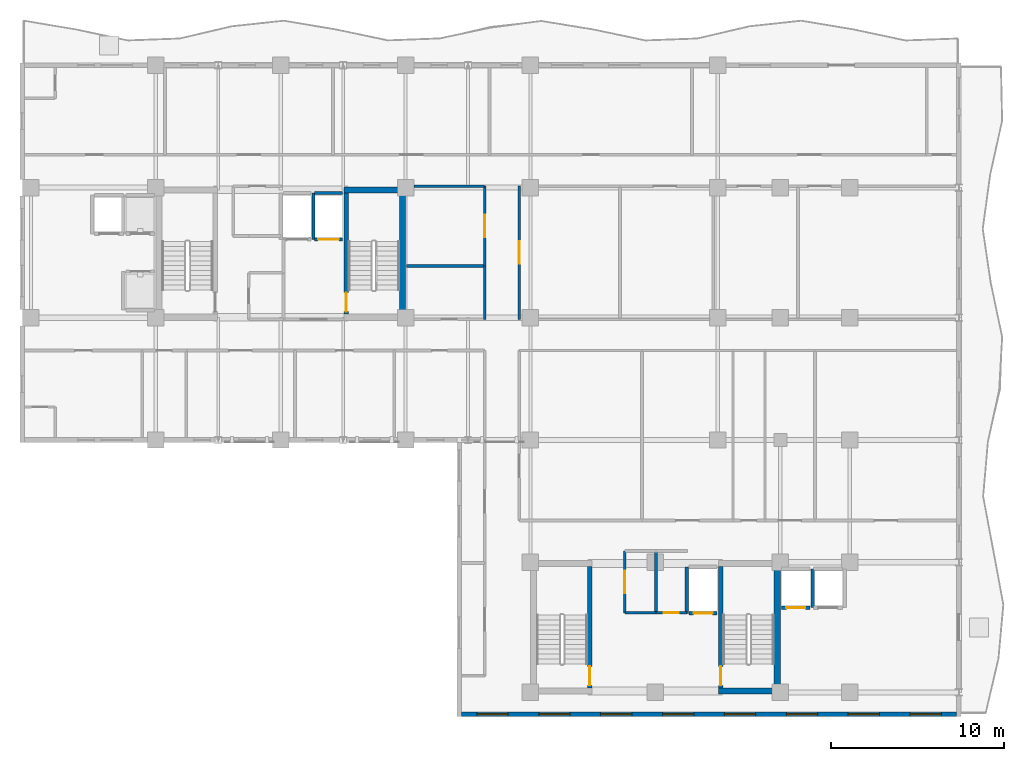
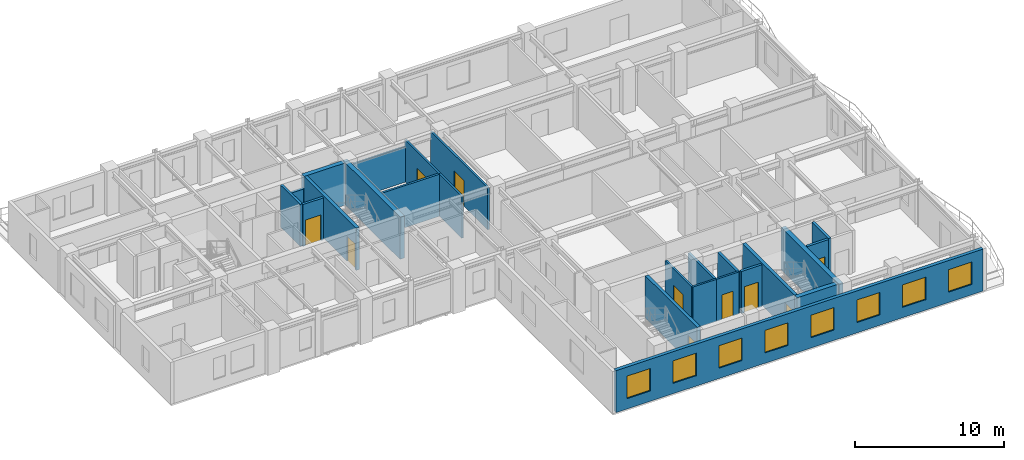
# One storey, part 7 of 14: 24 walls, 10 doors, 8 windows, 18 openings.
"""IFC4 building model written with IfcOpenShell, lengths in metres."""

from ifc_helpers import new_model, si_unit, direction, frame, frame_2d, origin, place, context, subcontext, project, spatial, rectangle, extrude, material, layer, layer_set, type_object, element, fill, save


model = new_model("IFC4")

# Units and contexts
model_context = context("Model", 3, precision=1e-05, world=origin(), true_north=direction((0.0, 1.0)))
body_context = subcontext(model_context, "Body", "Model", "MODEL_VIEW")
ifc_project = project(units=[si_unit("LENGTHUNIT", "METRE"), si_unit("AREAUNIT", "SQUARE_METRE"), si_unit("VOLUMEUNIT", "CUBIC_METRE"), si_unit("PLANEANGLEUNIT", "RADIAN"), si_unit("MASSUNIT", "GRAM", prefix="KILO")], contexts=[model_context])

# Site, building, storey
site_placement = place(None, origin())
site = spatial("IfcSite", under=ifc_project, at=site_placement, CompositionType="ELEMENT")
building_placement = place(site_placement, origin())
building = spatial("IfcBuilding", under=site, at=building_placement, Name="Kaliganga Portal Commons", CompositionType="ELEMENT")
storey_placement = place(building_placement, frame((0.0, 0.0, 220.300048828125)))
storey = spatial("IfcBuildingStorey", under=building, at=storey_placement, Name="L56", CompositionType="ELEMENT", Elevation=220.300048828125)

# Walls
ifc_material_1 = material(Name="Concrete C50/60", Category="concrete")
ifc_layer_1 = layer(ifc_material_1, 0.35009765625)
ifc_layer_set_1 = layer_set([ifc_layer_1], Name="Concrete C50/60")
wall_type_1 = type_object("IfcWallType", Name="WL-CORE-350", PredefinedType="SHEAR", material=ifc_layer_set_1)
wall_1_placement = place(storey_placement, frame((28.625, 28.5, 0.0), z_axis=(0.0, 0.0, 1.0), x_axis=(0.0, 1.0, 0.0)))
element("IfcWall", 1, at=wall_1_placement, inside=storey, type_object=wall_type_1, Name="Core A East Shear Wall L56", PredefinedType="SHEAR", context=body_context, shape_type="SweptSolid", body=[
    extrude(rectangle(XDim=7.699951171875, YDim=0.35009765625, at=frame_2d((3.85009765625, 0.0))), origin(), (0.0, 0.0, 1.0), 3.469970703125),
])
wall_2_placement = place(storey_placement, frame((25.25, 36.02490234375, 0.0), z_axis=(0.0, 0.0, 1.0), x_axis=(1.0, 0.0, 0.0)))
element("IfcWall", 2, at=wall_2_placement, inside=storey, type_object=wall_type_1, Name="Core A N-East Shear Wall L56", PredefinedType="SHEAR", context=body_context, shape_type="SweptSolid", body=[
    extrude(rectangle(XDim=3.199951171875, YDim=0.35009765625, at=frame_2d((1.60009765625, 0.0))), origin(), (0.0, 0.0, 1.0), 3.469970703125),
])
wall_3_placement = place(storey_placement, frame((50.22509765625, 6.949951171875, 0.0), z_axis=(0.0, 0.0, 1.0), x_axis=(0.0, 1.0, 0.0)))
element("IfcWall", 3, at=wall_3_placement, inside=storey, type_object=wall_type_1, Name="Core B East Shear Wall L56", PredefinedType="SHEAR", context=body_context, shape_type="SweptSolid", body=[
    extrude(rectangle(XDim=7.699951171875, YDim=0.35009765625, at=frame_2d((3.85009765625, 0.0))), origin(), (0.0, 0.0, 1.0), 3.469970703125),
])
wall_4_placement = place(storey_placement, frame((46.85009765625, 7.125, 0.0), z_axis=(0.0, 0.0, 1.0), x_axis=(1.0, 0.0, 0.0)))
element("IfcWall", 4, at=wall_4_placement, inside=storey, type_object=wall_type_1, Name="Core B S-East Shear Wall L56", PredefinedType="SHEAR", context=body_context, shape_type="SweptSolid", body=[
    extrude(rectangle(XDim=3.199951171875, YDim=0.35009765625, at=frame_2d((1.60009765625, 0.0))), origin(), (0.0, 0.0, 1.0), 3.469970703125),
])

# Wall, openings, windows
ifc_material_2 = material(Name="Insulated Aluminium-Clad Spandrel Assembly", Category="aluminium")
ifc_layer_2 = layer(ifc_material_2, 0.260009765625)
ifc_layer_set_2 = layer_set([ifc_layer_2], Name="Insulated Aluminium-Clad Spandrel Assembly")
wall_type_2 = type_object("IfcWallType", Name="WL-EXT-SPAND-260", PredefinedType="STANDARD", material=ifc_layer_set_2)
wall_5_placement = place(storey_placement, frame((60.56494140625, 5.800048828125, 0.0), z_axis=(0.0, 0.0, 1.0), x_axis=(-1.0, 0.0, 0.0)))
wall_5 = element("IfcWall", 5, at=wall_5_placement, inside=storey, type_object=wall_type_2, Name="Exterior Envelope Wall L56 P1-E00-S1", PredefinedType="STANDARD", context=body_context, shape_type="SweptSolid", body=[
    extrude(rectangle(XDim=28.530029296875, YDim=0.260009765625, at=frame_2d((14.26513671875, 0.0))), origin(), (0.0, 0.0, 1.0), 3.449951171875),
])
opening_1_placement = place(wall_5_placement, frame((0.883056640625, 0.0, 0.85009765625)))
opening_1 = element("IfcOpeningElement", 6, at=opening_1_placement, cuts=wall_5, Name="Opening W-01", PredefinedType="OPENING", context=body_context, shape_type="SweptSolid", body=[
    extrude(rectangle(XDim=1.800048828125, YDim=1.85009765625, at=frame_2d((0.89990234375, 0.925048828125))), frame((0.0, 0.14013671875, 0.0), z_axis=(0.0, -1.0, 0.0), x_axis=(1.0, 0.0, 0.0)), (0.0, 0.0, 1.0), 0.280029296875),
])
opening_2_placement = place(wall_5_placement, frame((4.449462890625, 0.0, 0.85009765625)))
opening_2 = element("IfcOpeningElement", 7, at=opening_2_placement, cuts=wall_5, Name="Opening W-01", PredefinedType="OPENING", context=body_context, shape_type="SweptSolid", body=[
    extrude(rectangle(XDim=1.800048828125, YDim=1.85009765625, at=frame_2d((0.89990234375, 0.925048828125))), frame((0.0, 0.14013671875, 0.0), z_axis=(0.0, -1.0, 0.0), x_axis=(1.0, 0.0, 0.0)), (0.0, 0.0, 1.0), 0.280029296875),
])
opening_3_placement = place(wall_5_placement, frame((8.015625, 0.0, 0.85009765625)))
opening_3 = element("IfcOpeningElement", 8, at=opening_3_placement, cuts=wall_5, Name="Opening W-01", PredefinedType="OPENING", context=body_context, shape_type="SweptSolid", body=[
    extrude(rectangle(XDim=1.800048828125, YDim=1.85009765625, at=frame_2d((0.89990234375, 0.925048828125))), frame((0.0, 0.14013671875, 0.0), z_axis=(0.0, -1.0, 0.0), x_axis=(1.0, 0.0, 0.0)), (0.0, 0.0, 1.0), 0.280029296875),
])
opening_4_placement = place(wall_5_placement, frame((11.581787109375, 0.0, 0.85009765625)))
opening_4 = element("IfcOpeningElement", 9, at=opening_4_placement, cuts=wall_5, Name="Opening W-01", PredefinedType="OPENING", context=body_context, shape_type="SweptSolid", body=[
    extrude(rectangle(XDim=1.800048828125, YDim=1.85009765625, at=frame_2d((0.89990234375, 0.925048828125))), frame((0.0, 0.14013671875, 0.0), z_axis=(0.0, -1.0, 0.0), x_axis=(1.0, 0.0, 0.0)), (0.0, 0.0, 1.0), 0.280029296875),
])
opening_5_placement = place(wall_5_placement, frame((15.148193359375, 0.0, 0.85009765625)))
opening_5 = element("IfcOpeningElement", 10, at=opening_5_placement, cuts=wall_5, Name="Opening W-01", PredefinedType="OPENING", context=body_context, shape_type="SweptSolid", body=[
    extrude(rectangle(XDim=1.800048828125, YDim=1.85009765625, at=frame_2d((0.89990234375, 0.925048828125))), frame((0.0, 0.14013671875, 0.0), z_axis=(0.0, -1.0, 0.0), x_axis=(1.0, 0.0, 0.0)), (0.0, 0.0, 1.0), 0.280029296875),
])
opening_6_placement = place(wall_5_placement, frame((18.71435546875, 0.0, 0.85009765625)))
opening_6 = element("IfcOpeningElement", 11, at=opening_6_placement, cuts=wall_5, Name="Opening W-01", PredefinedType="OPENING", context=body_context, shape_type="SweptSolid", body=[
    extrude(rectangle(XDim=1.800048828125, YDim=1.85009765625, at=frame_2d((0.89990234375, 0.925048828125))), frame((0.0, 0.14013671875, 0.0), z_axis=(0.0, -1.0, 0.0), x_axis=(1.0, 0.0, 0.0)), (0.0, 0.0, 1.0), 0.280029296875),
])
opening_7_placement = place(wall_5_placement, frame((22.280517578125, 0.0, 0.85009765625)))
opening_7 = element("IfcOpeningElement", 12, at=opening_7_placement, cuts=wall_5, Name="Opening W-01", PredefinedType="OPENING", context=body_context, shape_type="SweptSolid", body=[
    extrude(rectangle(XDim=1.800048828125, YDim=1.85009765625, at=frame_2d((0.89990234375, 0.925048828125))), frame((0.0, 0.14013671875, 0.0), z_axis=(0.0, -1.0, 0.0), x_axis=(1.0, 0.0, 0.0)), (0.0, 0.0, 1.0), 0.280029296875),
])
opening_8_placement = place(wall_5_placement, frame((25.846923828125, 0.0, 0.85009765625)))
opening_8 = element("IfcOpeningElement", 13, at=opening_8_placement, cuts=wall_5, Name="Opening W-01", PredefinedType="OPENING", context=body_context, shape_type="SweptSolid", body=[
    extrude(rectangle(XDim=1.800048828125, YDim=1.85009765625, at=frame_2d((0.89990234375, 0.925048828125))), frame((0.0, 0.14013671875, 0.0), z_axis=(0.0, -1.0, 0.0), x_axis=(1.0, 0.0, 0.0)), (0.0, 0.0, 1.0), 0.280029296875),
])
ifc_material_3 = material(Name="Thermally Broken Aluminium and Low-E Double Glazing", Category="aluminium")
window_type = type_object("IfcWindowType", Name="WIN-STD-1800", PartitioningType="DOUBLE_PANEL_VERTICAL", PredefinedType="WINDOW", material=ifc_material_3)
window_1_placement = place(opening_1_placement, origin())
window_1 = element("IfcWindow", 14, at=window_1_placement, inside=storey, type_object=window_type, Name="Facade Window L56-P1E00S1-00", OverallHeight=1.85009765625, OverallWidth=1.800048828125, PartitioningType="SINGLE_PANEL", PredefinedType="WINDOW", context=body_context, shape_type="SweptSolid", body=[
    extrude(rectangle(XDim=1.800048828125, YDim=1.85009765625, at=frame_2d((0.89990234375, 0.925048828125))), frame((0.0, 0.030029296875, 0.0), z_axis=(0.0, -1.0, 0.0), x_axis=(1.0, 0.0, 0.0)), (0.0, 0.0, 1.0), 0.06005859375),
])
fill(opening_1, window_1)
window_2_placement = place(opening_2_placement, origin())
window_2 = element("IfcWindow", 15, at=window_2_placement, inside=storey, type_object=window_type, Name="Facade Window L56-P1E00S1-01", OverallHeight=1.85009765625, OverallWidth=1.800048828125, PartitioningType="SINGLE_PANEL", PredefinedType="WINDOW", context=body_context, shape_type="SweptSolid", body=[
    extrude(rectangle(XDim=1.800048828125, YDim=1.85009765625, at=frame_2d((0.89990234375, 0.925048828125))), frame((0.0, 0.030029296875, 0.0), z_axis=(0.0, -1.0, 0.0), x_axis=(1.0, 0.0, 0.0)), (0.0, 0.0, 1.0), 0.06005859375),
])
fill(opening_2, window_2)
window_3_placement = place(opening_3_placement, origin())
window_3 = element("IfcWindow", 16, at=window_3_placement, inside=storey, type_object=window_type, Name="Facade Window L56-P1E00S1-02", OverallHeight=1.85009765625, OverallWidth=1.800048828125, PartitioningType="SINGLE_PANEL", PredefinedType="WINDOW", context=body_context, shape_type="SweptSolid", body=[
    extrude(rectangle(XDim=1.800048828125, YDim=1.85009765625, at=frame_2d((0.89990234375, 0.925048828125))), frame((0.0, 0.030029296875, 0.0), z_axis=(0.0, -1.0, 0.0), x_axis=(1.0, 0.0, 0.0)), (0.0, 0.0, 1.0), 0.06005859375),
])
fill(opening_3, window_3)
window_4_placement = place(opening_4_placement, origin())
window_4 = element("IfcWindow", 17, at=window_4_placement, inside=storey, type_object=window_type, Name="Facade Window L56-P1E00S1-03", OverallHeight=1.85009765625, OverallWidth=1.800048828125, PartitioningType="SINGLE_PANEL", PredefinedType="WINDOW", context=body_context, shape_type="SweptSolid", body=[
    extrude(rectangle(XDim=1.800048828125, YDim=1.85009765625, at=frame_2d((0.89990234375, 0.925048828125))), frame((0.0, 0.030029296875, 0.0), z_axis=(0.0, -1.0, 0.0), x_axis=(1.0, 0.0, 0.0)), (0.0, 0.0, 1.0), 0.06005859375),
])
fill(opening_4, window_4)
window_5_placement = place(opening_5_placement, origin())
window_5 = element("IfcWindow", 18, at=window_5_placement, inside=storey, type_object=window_type, Name="Facade Window L56-P1E00S1-04", OverallHeight=1.85009765625, OverallWidth=1.800048828125, PartitioningType="SINGLE_PANEL", PredefinedType="WINDOW", context=body_context, shape_type="SweptSolid", body=[
    extrude(rectangle(XDim=1.800048828125, YDim=1.85009765625, at=frame_2d((0.89990234375, 0.925048828125))), frame((0.0, 0.030029296875, 0.0), z_axis=(0.0, -1.0, 0.0), x_axis=(1.0, 0.0, 0.0)), (0.0, 0.0, 1.0), 0.06005859375),
])
fill(opening_5, window_5)
window_6_placement = place(opening_6_placement, origin())
window_6 = element("IfcWindow", 19, at=window_6_placement, inside=storey, type_object=window_type, Name="Facade Window L56-P1E00S1-05", OverallHeight=1.85009765625, OverallWidth=1.800048828125, PartitioningType="SINGLE_PANEL", PredefinedType="WINDOW", context=body_context, shape_type="SweptSolid", body=[
    extrude(rectangle(XDim=1.800048828125, YDim=1.85009765625, at=frame_2d((0.89990234375, 0.925048828125))), frame((0.0, 0.030029296875, 0.0), z_axis=(0.0, -1.0, 0.0), x_axis=(1.0, 0.0, 0.0)), (0.0, 0.0, 1.0), 0.06005859375),
])
fill(opening_6, window_6)
window_7_placement = place(opening_7_placement, origin())
window_7 = element("IfcWindow", 20, at=window_7_placement, inside=storey, type_object=window_type, Name="Facade Window L56-P1E00S1-06", OverallHeight=1.85009765625, OverallWidth=1.800048828125, PartitioningType="SINGLE_PANEL", PredefinedType="WINDOW", context=body_context, shape_type="SweptSolid", body=[
    extrude(rectangle(XDim=1.800048828125, YDim=1.85009765625, at=frame_2d((0.89990234375, 0.925048828125))), frame((0.0, 0.030029296875, 0.0), z_axis=(0.0, -1.0, 0.0), x_axis=(1.0, 0.0, 0.0)), (0.0, 0.0, 1.0), 0.06005859375),
])
fill(opening_7, window_7)
window_8_placement = place(opening_8_placement, origin())
window_8 = element("IfcWindow", 21, at=window_8_placement, inside=storey, type_object=window_type, Name="Facade Window L56-P1E00S1-07", OverallHeight=1.85009765625, OverallWidth=1.800048828125, PartitioningType="SINGLE_PANEL", PredefinedType="WINDOW", context=body_context, shape_type="SweptSolid", body=[
    extrude(rectangle(XDim=1.800048828125, YDim=1.85009765625, at=frame_2d((0.89990234375, 0.925048828125))), frame((0.0, 0.030029296875, 0.0), z_axis=(0.0, -1.0, 0.0), x_axis=(1.0, 0.0, 0.0)), (0.0, 0.0, 1.0), 0.06005859375),
])
fill(opening_8, window_8)

# Wall, opening, door
ifc_material_4 = material(Name="Fire-Rated Gypsum Board on Steel Stud", Category="steel")
ifc_layer_3 = layer(ifc_material_4, 0.14990234375)
ifc_layer_set_3 = layer_set([ifc_layer_3], Name="Fire-Rated Gypsum Board on Steel Stud")
wall_type_3 = type_object("IfcWallType", Name="WL-PART-CORR-150", PredefinedType="PARTITIONING", material=ifc_layer_set_3)
wall_6_placement = place(storey_placement, frame((35.360107421875, 28.56005859375, 0.0), z_axis=(0.0, 0.0, 1.0), x_axis=(0.0, 1.0, 0.0)))
wall_6 = element("IfcWall", 22, at=wall_6_placement, inside=storey, type_object=wall_type_3, Name="Interior Partition L56-014", PredefinedType="PARTITIONING", context=body_context, shape_type="SweptSolid", body=[
    extrude(rectangle(XDim=7.679931640625, YDim=0.14990234375, at=frame_2d((3.83984375, 0.0))), origin(), (0.0, 0.0, 1.0), 3.449951171875),
])
opening_9_placement = place(wall_6_placement, frame((3.18994140625, 0.0, 0.0)))
opening_9 = element("IfcOpeningElement", 23, at=opening_9_placement, cuts=wall_6, Name="Opening RD-03", PredefinedType="OPENING", context=body_context, shape_type="SweptSolid", body=[
    extrude(rectangle(XDim=1.300048828125, YDim=2.1201171875, at=frame_2d((0.64990234375, 1.06005859375))), frame((0.0, 0.0849609375, 0.0), z_axis=(0.0, -1.0, 0.0), x_axis=(1.0, 0.0, 0.0)), (0.0, 0.0, 1.0), 0.169921875),
])
ifc_material_5 = material(Name="Glazed Timber Seminar Vision Door", Category="wood")
door_type_1 = type_object("IfcDoorType", Name="DR-STUDY-1300", OperationType="DOUBLE_DOOR_SINGLE_SWING", PredefinedType="DOOR", material=ifc_material_5)
door_1_placement = place(opening_9_placement, origin())
door_1 = element("IfcDoor", 24, at=door_1_placement, inside=storey, type_object=door_type_1, Name="Interior Door L56-BK01", OperationType="DOUBLE_DOOR_SINGLE_SWING", OverallHeight=2.1201171875, OverallWidth=1.300048828125, PredefinedType="DOOR", context=body_context, shape_type="SweptSolid", body=[
    extrude(rectangle(XDim=1.300048828125, YDim=2.1201171875, at=frame_2d((0.64990234375, 1.06005859375))), frame((0.0, 0.02490234375, 0.0), z_axis=(0.0, -1.0, 0.0), x_axis=(1.0, 0.0, 0.0)), (0.0, 0.0, 1.0), 0.050048828125),
])
fill(opening_9, door_1)

wall_7_placement = place(storey_placement, frame((33.360107421875, 31.639892578125, 0.0), z_axis=(0.0, 0.0, 1.0), x_axis=(0.0, 1.0, 0.0)))
wall_7 = element("IfcWall", 25, at=wall_7_placement, inside=storey, type_object=wall_type_3, Name="Interior Partition L56-028", PredefinedType="PARTITIONING", context=body_context, shape_type="SweptSolid", body=[
    extrude(rectangle(XDim=4.60009765625, YDim=0.14990234375, at=frame_2d((2.300048828125, 0.0))), origin(), (0.0, 0.0, 1.0), 3.449951171875),
])
opening_10_placement = place(wall_7_placement, frame((1.64990234375, 0.0, 0.0)))
opening_10 = element("IfcOpeningElement", 26, at=opening_10_placement, cuts=wall_7, Name="Opening RD-03", PredefinedType="OPENING", context=body_context, shape_type="SweptSolid", body=[
    extrude(rectangle(XDim=1.300048828125, YDim=2.1201171875, at=frame_2d((0.64990234375, 1.06005859375))), frame((0.0, 0.0849609375, 0.0), z_axis=(0.0, -1.0, 0.0), x_axis=(1.0, 0.0, 0.0)), (0.0, 0.0, 1.0), 0.169921875),
])
door_2_placement = place(opening_10_placement, origin())
door_2 = element("IfcDoor", 27, at=door_2_placement, inside=storey, type_object=door_type_1, Name="Interior Door L56-CSRV_A2", OperationType="DOUBLE_DOOR_SINGLE_SWING", OverallHeight=2.1201171875, OverallWidth=1.300048828125, PredefinedType="DOOR", context=body_context, shape_type="SweptSolid", body=[
    extrude(rectangle(XDim=1.300048828125, YDim=2.1201171875, at=frame_2d((0.64990234375, 1.06005859375))), frame((0.0, 0.02490234375, 0.0), z_axis=(0.0, -1.0, 0.0), x_axis=(1.0, 0.0, 0.0)), (0.0, 0.0, 1.0), 0.050048828125),
])
fill(opening_10, door_2)

# Wall
wall_8_placement = place(storey_placement, frame((29.27490234375, 36.239990234375, 0.0), z_axis=(0.0, 0.0, 1.0), x_axis=(1.0, 0.0, 0.0)))
element("IfcWall", 28, at=wall_8_placement, inside=storey, type_object=wall_type_3, Name="Interior Partition L56-030", PredefinedType="PARTITIONING", context=body_context, shape_type="SweptSolid", body=[
    extrude(rectangle(XDim=4.085205078125, YDim=0.14990234375, at=frame_2d((2.04248046875, 0.0))), origin(), (0.0, 0.0, 1.0), 2.89990234375),
])

# Wall, opening, door
wall_9_placement = place(storey_placement, frame((41.43994140625, 11.639892578125, 0.0), z_axis=(0.0, 0.0, 1.0), x_axis=(0.0, 1.0, 0.0)))
wall_9 = element("IfcWall", 29, at=wall_9_placement, inside=storey, type_object=wall_type_3, Name="Interior Partition L56-031", PredefinedType="PARTITIONING", context=body_context, shape_type="SweptSolid", body=[
    extrude(rectangle(XDim=3.56005859375, YDim=0.14990234375, at=frame_2d((1.780029296875, 0.0))), origin(), (0.0, 0.0, 1.0), 3.449951171875),
])
opening_11_placement = place(wall_9_placement, frame((1.1298828125, 0.0, 0.0)))
opening_11 = element("IfcOpeningElement", 30, at=opening_11_placement, cuts=wall_9, Name="Opening RD-03", PredefinedType="OPENING", context=body_context, shape_type="SweptSolid", body=[
    extrude(rectangle(XDim=1.300048828125, YDim=2.1201171875, at=frame_2d((0.64990234375, 1.06005859375))), frame((0.0, 0.0849609375, 0.0), z_axis=(0.0, -1.0, 0.0), x_axis=(1.0, 0.0, 0.0)), (0.0, 0.0, 1.0), 0.169921875),
])
door_3_placement = place(opening_11_placement, origin())
door_3 = element("IfcDoor", 31, at=door_3_placement, inside=storey, type_object=door_type_1, Name="Interior Door L56-CREC_B1", OperationType="DOUBLE_DOOR_SINGLE_SWING", OverallHeight=2.1201171875, OverallWidth=1.300048828125, PredefinedType="DOOR", context=body_context, shape_type="SweptSolid", body=[
    extrude(rectangle(XDim=1.300048828125, YDim=2.1201171875, at=frame_2d((0.64990234375, 1.06005859375))), frame((0.0, 0.02490234375, 0.0), z_axis=(0.0, -1.0, 0.0), x_axis=(1.0, 0.0, 0.0)), (0.0, 0.0, 1.0), 0.050048828125),
])
fill(opening_11, door_3)

# Walls
wall_10_placement = place(storey_placement, frame((33.360107421875, 28.56005859375, 0.0), z_axis=(0.0, 0.0, 1.0), x_axis=(0.0, 1.0, 0.0)))
element("IfcWall", 32, at=wall_10_placement, inside=storey, type_object=wall_type_3, Name="Interior Partition L56-032", PredefinedType="PARTITIONING", context=body_context, shape_type="SweptSolid", body=[
    extrude(rectangle(XDim=3.079833984375, YDim=0.14990234375, at=frame_2d((1.5400390625, 0.0))), origin(), (0.0, 0.0, 1.0), 3.449951171875),
])
wall_11_placement = place(storey_placement, frame((41.43994140625, 11.639892578125, 0.0), z_axis=(0.0, 0.0, 1.0), x_axis=(1.0, 0.0, 0.0)))
element("IfcWall", 33, at=wall_11_placement, inside=storey, type_object=wall_type_3, Name="Interior Partition L56-044", PredefinedType="PARTITIONING", context=body_context, shape_type="SweptSolid", body=[
    extrude(rectangle(XDim=1.800048828125, YDim=0.14990234375, at=frame_2d((0.89990234375, 0.0))), origin(), (0.0, 0.0, 1.0), 3.449951171875),
])

# Wall, opening, door
wall_12_placement = place(storey_placement, frame((43.239990234375, 11.639892578125, 0.0), z_axis=(0.0, 0.0, 1.0), x_axis=(1.0, 0.0, 0.0)))
wall_12 = element("IfcWall", 34, at=wall_12_placement, inside=storey, type_object=wall_type_3, Name="Interior Partition L56-046", PredefinedType="PARTITIONING", context=body_context, shape_type="SweptSolid", body=[
    extrude(rectangle(XDim=1.77001953125, YDim=0.14990234375, at=frame_2d((0.885009765625, 0.0))), origin(), (0.0, 0.0, 1.0), 3.449951171875),
])
opening_12_placement = place(wall_12_placement, frame((0.455078125, 0.0, 0.0)))
opening_12 = element("IfcOpeningElement", 35, at=opening_12_placement, cuts=wall_12, Name="Opening WD-02", PredefinedType="OPENING", context=body_context, shape_type="SweptSolid", body=[
    extrude(rectangle(XDim=0.860107421875, YDim=2.02001953125, at=frame_2d((0.43017578125, 1.010009765625))), frame((0.0, 0.0849609375, 0.0), z_axis=(0.0, -1.0, 0.0), x_axis=(1.0, 0.0, 0.0)), (0.0, 0.0, 1.0), 0.169921875),
])
ifc_material_6 = material(Name="Fire-Rated Utility Closet Door", Category="wood")
door_type_2 = type_object("IfcDoorType", Name="DR-STORE-800", OperationType="NOTDEFINED", PredefinedType="DOOR", material=ifc_material_6)
door_4_placement = place(opening_12_placement, origin())
door_4 = element("IfcDoor", 36, at=door_4_placement, inside=storey, type_object=door_type_2, Name="Interior Door L56-CREC_B2", OperationType="SINGLE_SWING_RIGHT", OverallHeight=2.02001953125, OverallWidth=0.860107421875, PredefinedType="DOOR", context=body_context, shape_type="SweptSolid", body=[
    extrude(rectangle(XDim=0.860107421875, YDim=2.02001953125, at=frame_2d((0.43017578125, 1.010009765625))), frame((0.0, 0.02490234375, 0.0), z_axis=(0.0, -1.0, 0.0), x_axis=(1.0, 0.0, 0.0)), (0.0, 0.0, 1.0), 0.050048828125),
])
fill(opening_12, door_4)

# Walls
ifc_material_7 = material(Name="Twin-Stud Acoustic Gypsum Partition", Category="gypsum")
ifc_layer_4 = layer(ifc_material_7, 0.1650390625)
ifc_layer_set_4 = layer_set([ifc_layer_4], Name="Twin-Stud Acoustic Gypsum Partition")
wall_type_4 = type_object("IfcWallType", Name="WL-PART-UNIT-165", PredefinedType="PARTITIONING", material=ifc_layer_set_4)
wall_13_placement = place(storey_placement, frame((28.840087890625, 31.639892578125, 0.0), z_axis=(0.0, 0.0, 1.0), x_axis=(1.0, 0.0, 0.0)))
element("IfcWall", 37, at=wall_13_placement, inside=storey, type_object=wall_type_4, Name="Interior Partition L56-074", PredefinedType="PARTITIONING", context=body_context, shape_type="SweptSolid", body=[
    extrude(rectangle(XDim=4.52001953125, YDim=0.1650390625, at=frame_2d((2.260009765625, 0.0))), origin(), (0.0, 0.0, 1.0), 3.449951171875),
])
wall_14_placement = place(storey_placement, frame((43.239990234375, 11.639892578125, 0.0), z_axis=(0.0, 0.0, 1.0), x_axis=(0.0, 1.0, 0.0)))
element("IfcWall", 38, at=wall_14_placement, inside=storey, type_object=wall_type_4, Name="Interior Partition L56-075", PredefinedType="PARTITIONING", context=body_context, shape_type="SweptSolid", body=[
    extrude(rectangle(XDim=3.56005859375, YDim=0.1650390625, at=frame_2d((1.780029296875, 0.0))), origin(), (0.0, 0.0, 1.0), 3.449951171875),
])
ifc_material_8 = material(Name="Fire-Rated Shaftwall Masonry Assembly", Category="masonry")
ifc_layer_5 = layer(ifc_material_8, 0.199951171875)
ifc_layer_set_5 = layer_set([ifc_layer_5], Name="Fire-Rated Shaftwall Masonry Assembly")
wall_type_5 = type_object("IfcWallType", Name="WL-SHAFT-200", PredefinedType="PARTITIONING", material=ifc_layer_set_5)
wall_15_placement = place(storey_placement, frame((23.489990234375, 33.159912109375, 0.0), z_axis=(0.0, 0.0, 1.0), x_axis=(0.0, 1.0, 0.0)))
element("IfcWall", 39, at=wall_15_placement, inside=storey, type_object=wall_type_5, Name="Lift FFL-1 Hoistway Shaft Wall L56-E", PredefinedType="PARTITIONING", context=body_context, shape_type="SweptSolid", body=[
    extrude(rectangle(XDim=2.68017578125, YDim=0.199951171875, at=frame_2d((1.340087890625, 0.0))), origin(), (0.0, 0.0, 1.0), 3.449951171875),
])

# Wall, opening, door
wall_16_placement = place(storey_placement, frame((23.550048828125, 33.159912109375, 0.0), z_axis=(0.0, 0.0, 1.0), x_axis=(1.0, 0.0, 0.0)))
wall_16 = element("IfcWall", 40, at=wall_16_placement, inside=storey, type_object=wall_type_5, Name="Lift FFL-2 Hoistway Shaft Wall L56-S", PredefinedType="PARTITIONING", context=body_context, shape_type="SweptSolid", body=[
    extrude(rectangle(XDim=1.599853515625, YDim=0.199951171875, at=frame_2d((0.7998046875, 0.0))), origin(), (0.0, 0.0, 1.0), 3.449951171875),
])
opening_13_placement = place(wall_16_placement, frame((0.199951171875, 0.0, 0.0)))
opening_13 = element("IfcOpeningElement", 41, at=opening_13_placement, cuts=wall_16, Name="Opening LD-02", PredefinedType="OPENING", context=body_context, shape_type="SweptSolid", body=[
    extrude(rectangle(XDim=1.199951171875, YDim=2.1201171875, at=frame_2d((0.60009765625, 1.06005859375))), frame((0.0, 0.10986328125, 0.0), z_axis=(0.0, -1.0, 0.0), x_axis=(1.0, 0.0, 0.0)), (0.0, 0.0, 1.0), 0.219970703125),
])
ifc_material_9 = material(Name="Brushed Stainless Steel 316 Stretcher Lift Landing Door", Category="steel")
door_type_3 = type_object("IfcDoorType", Name="DR-LIFT-1200", OperationType="SLIDING_TO_RIGHT", PredefinedType="DOOR", material=ifc_material_9)
door_5_placement = place(opening_13_placement, origin())
door_5 = element("IfcDoor", 42, at=door_5_placement, inside=storey, type_object=door_type_3, Name="Lift FFL-2 Sliding Landing Door L56", OperationType="SLIDING_TO_RIGHT", OverallHeight=2.1201171875, OverallWidth=1.199951171875, PredefinedType="DOOR", context=body_context, shape_type="SweptSolid", body=[
    extrude(rectangle(XDim=1.199951171875, YDim=2.1201171875, at=frame_2d((0.60009765625, 1.06005859375))), frame((0.0, 0.02490234375, 0.0), z_axis=(0.0, -1.0, 0.0), x_axis=(1.0, 0.0, 0.0)), (0.0, 0.0, 1.0), 0.050048828125),
])
fill(opening_13, door_5)

# Wall
wall_17_placement = place(storey_placement, frame((23.550048828125, 35.840087890625, 0.0), z_axis=(0.0, 0.0, 1.0), x_axis=(1.0, 0.0, 0.0)))
element("IfcWall", 43, at=wall_17_placement, inside=storey, type_object=wall_type_5, Name="Lift FFL-2 Hoistway Shaft Wall L56-N", PredefinedType="PARTITIONING", context=body_context, shape_type="SweptSolid", body=[
    extrude(rectangle(XDim=1.599853515625, YDim=0.199951171875, at=frame_2d((0.7998046875, 0.0))), origin(), (0.0, 0.0, 1.0), 2.550048828125),
])

# Wall, opening, door
wall_18_placement = place(storey_placement, frame((50.47509765625, 11.93505859375, 0.0), z_axis=(0.0, 0.0, 1.0), x_axis=(1.0, 0.0, 0.0)))
wall_18 = element("IfcWall", 44, at=wall_18_placement, inside=storey, type_object=wall_type_5, Name="Lift PL-B3 Hoistway Shaft Wall L56-S", PredefinedType="PARTITIONING", context=body_context, shape_type="SweptSolid", body=[
    extrude(rectangle(XDim=1.64990234375, YDim=0.199951171875, at=frame_2d((0.824951171875, 0.0))), origin(), (0.0, 0.0, 1.0), 3.449951171875),
])
opening_14_placement = place(wall_18_placement, frame((0.27490234375, 0.0, 0.0)))
opening_14 = element("IfcOpeningElement", 45, at=opening_14_placement, cuts=wall_18, Name="Opening LD-01", PredefinedType="OPENING", context=body_context, shape_type="SweptSolid", body=[
    extrude(rectangle(XDim=1.10009765625, YDim=2.1201171875, at=frame_2d((0.550048828125, 1.06005859375))), frame((0.0, 0.10986328125, 0.0), z_axis=(0.0, -1.0, 0.0), x_axis=(1.0, 0.0, 0.0)), (0.0, 0.0, 1.0), 0.219970703125),
])
ifc_material_10 = material(Name="Brushed Stainless Steel 316 Lift Landing Door", Category="steel")
door_type_4 = type_object("IfcDoorType", Name="DR-LIFT-1100", OperationType="SLIDING_TO_LEFT", PredefinedType="DOOR", material=ifc_material_10)
door_6_placement = place(opening_14_placement, origin())
door_6 = element("IfcDoor", 46, at=door_6_placement, inside=storey, type_object=door_type_4, Name="Lift PL-B3 Sliding Landing Door L56", OperationType="SLIDING_TO_LEFT", OverallHeight=2.1201171875, OverallWidth=1.10009765625, PredefinedType="DOOR", context=body_context, shape_type="SweptSolid", body=[
    extrude(rectangle(XDim=1.10009765625, YDim=2.1201171875, at=frame_2d((0.550048828125, 1.06005859375))), frame((0.0, 0.02490234375, 0.0), z_axis=(0.0, -1.0, 0.0), x_axis=(1.0, 0.0, 0.0)), (0.0, 0.0, 1.0), 0.050048828125),
])
fill(opening_14, door_6)

# Wall
wall_19_placement = place(storey_placement, frame((52.264892578125, 11.93505859375, 0.0), z_axis=(0.0, 0.0, 1.0), x_axis=(0.0, 1.0, 0.0)))
element("IfcWall", 47, at=wall_19_placement, inside=storey, type_object=wall_type_5, Name="Lift PL-B3 Hoistway Shaft Wall L56-E", PredefinedType="PARTITIONING", context=body_context, shape_type="SweptSolid", body=[
    extrude(rectangle(XDim=2.22998046875, YDim=0.199951171875, at=frame_2d((1.114990234375, 0.0))), origin(), (0.0, 0.0, 1.0), 3.449951171875),
])

# Wall, opening, door
wall_20_placement = place(storey_placement, frame((45.14990234375, 11.610107421875, 0.0), z_axis=(0.0, 0.0, 1.0), x_axis=(1.0, 0.0, 0.0)))
wall_20 = element("IfcWall", 48, at=wall_20_placement, inside=storey, type_object=wall_type_5, Name="Lift SL-B1 Hoistway Shaft Wall L56-S", PredefinedType="PARTITIONING", context=body_context, shape_type="SweptSolid", body=[
    extrude(rectangle(XDim=1.60009765625, YDim=0.199951171875, at=frame_2d((0.800048828125, 0.0))), origin(), (0.0, 0.0, 1.0), 3.449951171875),
])
opening_15_placement = place(wall_20_placement, frame((0.25, 0.0, 0.0)))
opening_15 = element("IfcOpeningElement", 49, at=opening_15_placement, cuts=wall_20, Name="Opening LD-01", PredefinedType="OPENING", context=body_context, shape_type="SweptSolid", body=[
    extrude(rectangle(XDim=1.10009765625, YDim=2.1201171875, at=frame_2d((0.550048828125, 1.06005859375))), frame((0.0, 0.10986328125, 0.0), z_axis=(0.0, -1.0, 0.0), x_axis=(1.0, 0.0, 0.0)), (0.0, 0.0, 1.0), 0.219970703125),
])
door_7_placement = place(opening_15_placement, origin())
door_7 = element("IfcDoor", 50, at=door_7_placement, inside=storey, type_object=door_type_4, Name="Lift SL-B1 Sliding Landing Door L56", OperationType="SLIDING_TO_LEFT", OverallHeight=2.1201171875, OverallWidth=1.10009765625, PredefinedType="DOOR", context=body_context, shape_type="SweptSolid", body=[
    extrude(rectangle(XDim=1.10009765625, YDim=2.1201171875, at=frame_2d((0.550048828125, 1.06005859375))), frame((0.0, 0.02490234375, 0.0), z_axis=(0.0, -1.0, 0.0), x_axis=(1.0, 0.0, 0.0)), (0.0, 0.0, 1.0), 0.050048828125),
])
fill(opening_15, door_7)

# Wall
wall_21_placement = place(storey_placement, frame((45.010009765625, 11.610107421875, 0.0), z_axis=(0.0, 0.0, 1.0), x_axis=(0.0, 1.0, 0.0)))
element("IfcWall", 51, at=wall_21_placement, inside=storey, type_object=wall_type_5, Name="Lift SL-B1 Hoistway Shaft Wall L56-W", PredefinedType="PARTITIONING", context=body_context, shape_type="SweptSolid", body=[
    extrude(rectangle(XDim=2.679931640625, YDim=0.199951171875, at=frame_2d((1.33984375, 0.0))), origin(), (0.0, 0.0, 1.0), 3.449951171875),
])

# Wall, opening, door
ifc_layer_6 = layer(ifc_material_1, 0.25)
ifc_layer_set_6 = layer_set([ifc_layer_6], Name="Concrete C50/60")
wall_type_6 = type_object("IfcWallType", Name="WL-STAIR-250", PredefinedType="SHEAR", material=ifc_layer_set_6)
wall_22_placement = place(storey_placement, frame((25.375, 28.85009765625, 0.0), z_axis=(0.0, 0.0, 1.0), x_axis=(0.0, 1.0, 0.0)))
wall_22 = element("IfcWall", 52, at=wall_22_placement, inside=storey, type_object=wall_type_6, Name="Stair A2 Enclosure Shear Wall L56", PredefinedType="SHEAR", context=body_context, shape_type="SweptSolid", body=[
    extrude(rectangle(XDim=7.0, YDim=0.25, at=frame_2d((3.5, 0.0))), origin(), (0.0, 0.0, 1.0), 3.469970703125),
])
opening_16_placement = place(wall_22_placement, frame((0.14990234375, 0.0, 0.0)))
opening_16 = element("IfcOpeningElement", 53, at=opening_16_placement, cuts=wall_22, Name="Opening SD-01", PredefinedType="OPENING", context=body_context, shape_type="SweptSolid", body=[
    extrude(rectangle(XDim=1.10009765625, YDim=2.080078125, at=frame_2d((0.550048828125, 1.0400390625))), frame((0.0, 0.135009765625, 0.0), z_axis=(0.0, -1.0, 0.0), x_axis=(1.0, 0.0, 0.0)), (0.0, 0.0, 1.0), 0.27001953125),
])
ifc_material_11 = material(Name="Galvanized Steel Fire Door Leaf and Frame", Category="steel")
door_type_5 = type_object("IfcDoorType", Name="DR-STAIR-1100", OperationType="NOTDEFINED", PredefinedType="DOOR", material=ifc_material_11)
door_8_placement = place(opening_16_placement, origin())
door_8 = element("IfcDoor", 54, at=door_8_placement, inside=storey, type_object=door_type_5, Name="Protected Stair ST-A2 Fire Door L56", OperationType="SINGLE_SWING_LEFT", OverallHeight=2.080078125, OverallWidth=1.10009765625, PredefinedType="DOOR", context=body_context, shape_type="SweptSolid", body=[
    extrude(rectangle(XDim=1.10009765625, YDim=2.080078125, at=frame_2d((0.550048828125, 1.0400390625))), frame((0.0, 0.02490234375, 0.0), z_axis=(0.0, -1.0, 0.0), x_axis=(1.0, 0.0, 0.0)), (0.0, 0.0, 1.0), 0.050048828125),
])
fill(opening_16, door_8)

wall_23_placement = place(storey_placement, frame((39.425048828125, 7.300048828125, 0.0), z_axis=(0.0, 0.0, 1.0), x_axis=(0.0, 1.0, 0.0)))
wall_23 = element("IfcWall", 55, at=wall_23_placement, inside=storey, type_object=wall_type_6, Name="Stair B1 Enclosure Shear Wall L56", PredefinedType="SHEAR", context=body_context, shape_type="SweptSolid", body=[
    extrude(rectangle(XDim=7.0, YDim=0.25, at=frame_2d((3.5, 0.0))), origin(), (0.0, 0.0, 1.0), 3.469970703125),
])
opening_17_placement = place(wall_23_placement, frame((0.14990234375, 0.0, 0.0)))
opening_17 = element("IfcOpeningElement", 56, at=opening_17_placement, cuts=wall_23, Name="Opening SD-01", PredefinedType="OPENING", context=body_context, shape_type="SweptSolid", body=[
    extrude(rectangle(XDim=1.10009765625, YDim=2.080078125, at=frame_2d((0.550048828125, 1.0400390625))), frame((0.0, 0.135009765625, 0.0), z_axis=(0.0, -1.0, 0.0), x_axis=(1.0, 0.0, 0.0)), (0.0, 0.0, 1.0), 0.27001953125),
])
door_9_placement = place(opening_17_placement, origin())
door_9 = element("IfcDoor", 57, at=door_9_placement, inside=storey, type_object=door_type_5, Name="Protected Stair ST-B1 Fire Door L56", OperationType="SINGLE_SWING_RIGHT", OverallHeight=2.080078125, OverallWidth=1.10009765625, PredefinedType="DOOR", context=body_context, shape_type="SweptSolid", body=[
    extrude(rectangle(XDim=1.10009765625, YDim=2.080078125, at=frame_2d((0.550048828125, 1.0400390625))), frame((0.0, 0.02490234375, 0.0), z_axis=(0.0, -1.0, 0.0), x_axis=(1.0, 0.0, 0.0)), (0.0, 0.0, 1.0), 0.050048828125),
])
fill(opening_17, door_9)

wall_24_placement = place(storey_placement, frame((46.97509765625, 7.300048828125, 0.0), z_axis=(0.0, 0.0, 1.0), x_axis=(0.0, 1.0, 0.0)))
wall_24 = element("IfcWall", 58, at=wall_24_placement, inside=storey, type_object=wall_type_6, Name="Stair B2 Enclosure Shear Wall L56", PredefinedType="SHEAR", context=body_context, shape_type="SweptSolid", body=[
    extrude(rectangle(XDim=7.0, YDim=0.25, at=frame_2d((3.5, 0.0))), origin(), (0.0, 0.0, 1.0), 3.469970703125),
])
opening_18_placement = place(wall_24_placement, frame((0.14990234375, 0.0, 0.0)))
opening_18 = element("IfcOpeningElement", 59, at=opening_18_placement, cuts=wall_24, Name="Opening SD-01", PredefinedType="OPENING", context=body_context, shape_type="SweptSolid", body=[
    extrude(rectangle(XDim=1.10009765625, YDim=2.080078125, at=frame_2d((0.550048828125, 1.0400390625))), frame((0.0, 0.135009765625, 0.0), z_axis=(0.0, -1.0, 0.0), x_axis=(1.0, 0.0, 0.0)), (0.0, 0.0, 1.0), 0.27001953125),
])
door_10_placement = place(opening_18_placement, origin())
door_10 = element("IfcDoor", 60, at=door_10_placement, inside=storey, type_object=door_type_5, Name="Protected Stair ST-B2 Fire Door L56", OperationType="SINGLE_SWING_LEFT", OverallHeight=2.080078125, OverallWidth=1.10009765625, PredefinedType="DOOR", context=body_context, shape_type="SweptSolid", body=[
    extrude(rectangle(XDim=1.10009765625, YDim=2.080078125, at=frame_2d((0.550048828125, 1.0400390625))), frame((0.0, 0.02490234375, 0.0), z_axis=(0.0, -1.0, 0.0), x_axis=(1.0, 0.0, 0.0)), (0.0, 0.0, 1.0), 0.050048828125),
])
fill(opening_18, door_10)

save(model, "model.ifc")
